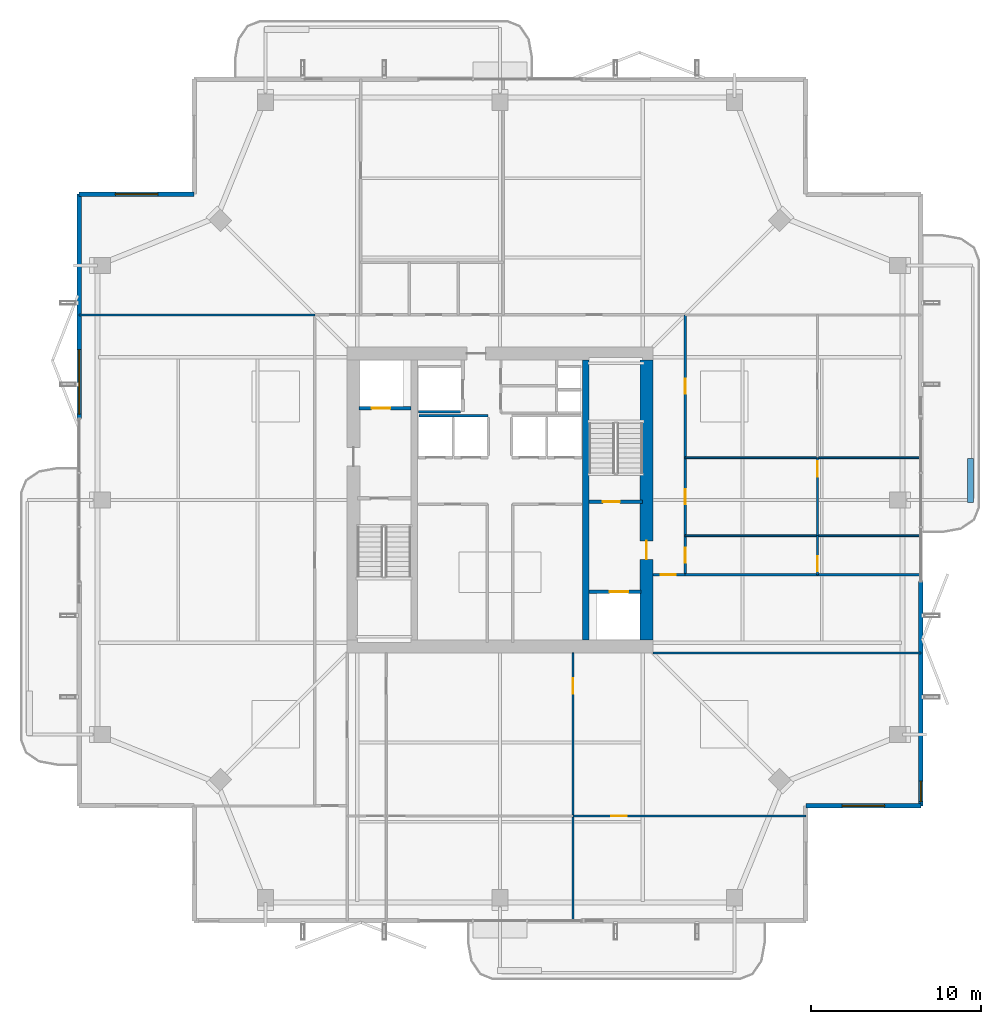
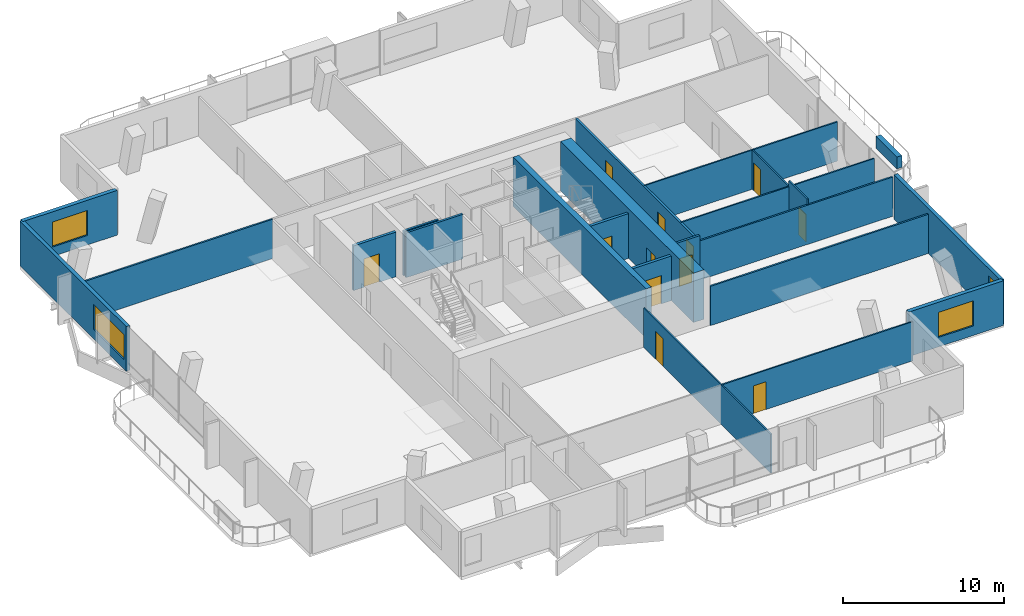
# One storey, part 19 of 25: 23 walls, 12 doors, 4 windows, 16 openings.
"""IFC4 building model written with IfcOpenShell, lengths in metres."""

from ifc_helpers import new_model, si_unit, direction, frame, frame_2d, origin, place, context, subcontext, project, spatial, rectangle, extrude, material, layer, layer_set, type_object, element, fill, save


model = new_model("IFC4")

# Units and contexts
model_context = context("Model", 3, precision=1e-05, world=origin(), true_north=direction((0.0, 1.0)))
body_context = subcontext(model_context, "Body", "Model", "MODEL_VIEW")
ifc_project = project(units=[si_unit("LENGTHUNIT", "METRE"), si_unit("AREAUNIT", "SQUARE_METRE"), si_unit("VOLUMEUNIT", "CUBIC_METRE"), si_unit("PLANEANGLEUNIT", "RADIAN"), si_unit("MASSUNIT", "GRAM", prefix="KILO")], contexts=[model_context])

# Site, building, storey
site_placement = place(None, origin())
site = spatial("IfcSite", under=ifc_project, at=site_placement, CompositionType="ELEMENT")
building_placement = place(site_placement, origin())
building = spatial("IfcBuilding", under=site, at=building_placement, Name="Belovzor Exchange Tower", CompositionType="ELEMENT")
storey_placement = place(building_placement, frame((0.0, 0.0, 280.35009765625)))
storey = spatial("IfcBuildingStorey", under=building, at=storey_placement, Name="L70", CompositionType="ELEMENT", Elevation=280.35009765625)

# Walls
ifc_material_1 = material(Name="Acoustic Plasterboard on Galvanised Studs", Category="gypsum")
ifc_layer_1 = layer(ifc_material_1, 0.1201171875)
ifc_layer_set_1 = layer_set([ifc_layer_1], Name="Acoustic Plasterboard on Galvanised Studs")
wall_type_1 = type_object("IfcWallType", Name="Acoustic Double-Stud Partition Wall 120", PredefinedType="PARTITIONING", material=ifc_layer_set_1)
wall_1_placement = place(storey_placement, frame((37.800048828125, 19.800048828125, 0.0), z_axis=(0.0, 0.0, 1.0), x_axis=(1.0, 0.0, 0.0)))
element("IfcWall", 1, at=wall_1_placement, inside=storey, type_object=wall_type_1, Name="W-P120 Partition Wall W-L70-ESS", PredefinedType="PARTITIONING", context=body_context, shape_type="SweptSolid", body=[
    extrude(rectangle(XDim=15.77001953125, YDim=0.1201171875, at=frame_2d((7.885009765625, 0.0))), origin(), (0.0, 0.0, 1.0), 2.974853515625),
])
wall_2_placement = place(storey_placement, frame((39.699951171875, 24.39990234375, 0.0), z_axis=(0.0, 0.0, 1.0), x_axis=(1.0, 0.0, 0.0)))
element("IfcWall", 2, at=wall_2_placement, inside=storey, type_object=wall_type_1, Name="W-P120 Partition Wall W-L70-ESN", PredefinedType="PARTITIONING", context=body_context, shape_type="SweptSolid", body=[
    extrude(rectangle(XDim=13.8701171875, YDim=0.1201171875, at=frame_2d((6.93505859375, 0.0))), origin(), (0.0, 0.0, 1.0), 2.974853515625),
])
wall_3_placement = place(storey_placement, frame((4.030029296875, 39.699951171875, 0.0), z_axis=(0.0, 0.0, 1.0), x_axis=(1.0, 0.0, 0.0)))
element("IfcWall", 3, at=wall_3_placement, inside=storey, type_object=wall_type_1, Name="W-P120 Partition Wall W-L70-END-NW", PredefinedType="PARTITIONING", context=body_context, shape_type="SweptSolid", body=[
    extrude(rectangle(XDim=13.869873046875, YDim=0.1201171875, at=frame_2d((6.93505859375, 0.0))), origin(), (0.0, 0.0, 1.0), 2.974853515625),
])

# Wall, opening, door
ifc_material_2 = material(Name="Acoustic Laminated Glass and Aluminium", Category="aluminium")
ifc_layer_2 = layer(ifc_material_2, 0.10009765625)
ifc_layer_set_2 = layer_set([ifc_layer_2], Name="Acoustic Laminated Glass and Aluminium")
wall_type_2 = type_object("IfcWallType", Name="Demountable Executive Glass Partition 100", PredefinedType="MOVABLE", material=ifc_layer_set_2)
wall_4_placement = place(storey_placement, frame((33.092041015625, 4.030029296875, 0.0), z_axis=(0.0, 0.0, 1.0), x_axis=(0.0, 1.0, 0.0)))
wall_4 = element("IfcWall", 4, at=wall_4_placement, inside=storey, type_object=wall_type_2, Name="W-M100 Partition Wall W-L70-SDIV-2", PredefinedType="MOVABLE", context=body_context, shape_type="SweptSolid", body=[
    extrude(rectangle(XDim=15.77001953125, YDim=0.10009765625, at=frame_2d((7.885009765625, 0.0))), origin(), (0.0, 0.0, 1.0), 2.974853515625),
])
opening_1_placement = place(wall_4_placement, frame((13.3701171875, 0.0, 0.0)))
opening_1 = element("IfcOpeningElement", 5, at=opening_1_placement, cuts=wall_4, Name="Opening D-INT-090", PredefinedType="OPENING", context=body_context, shape_type="SweptSolid", body=[
    extrude(rectangle(XDim=0.89990234375, YDim=2.10009765625, at=frame_2d((0.449951171875, 1.050048828125))), frame((0.0, 0.06005859375, 0.0), z_axis=(0.0, -1.0, 0.0), x_axis=(1.0, 0.0, 0.0)), (0.0, 0.0, 1.0), 0.1201171875),
])
ifc_material_3 = material(Name="Veneered Hardwood Acoustic Leaf", Category="wood")
door_type_1 = type_object("IfcDoorType", Name="Trading Suite Acoustic Single Door 900x2100", OperationType="NOTDEFINED", PredefinedType="DOOR", material=ifc_material_3)
door_1_placement = place(opening_1_placement, origin())
door_1 = element("IfcDoor", 6, at=door_1_placement, inside=storey, type_object=door_type_1, Name="D-INT-090 Trading Suite Acoustic Single Door 900x2100", OperationType="SINGLE_SWING_LEFT", OverallHeight=2.10009765625, OverallWidth=0.89990234375, PredefinedType="DOOR", context=body_context, shape_type="SweptSolid", body=[
    extrude(rectangle(XDim=0.89990234375, YDim=2.10009765625, at=frame_2d((0.449951171875, 1.050048828125))), frame((0.0, 0.02490234375, 0.0), z_axis=(0.0, -1.0, 0.0), x_axis=(1.0, 0.0, 0.0)), (0.0, 0.0, 1.0), 0.050048828125),
])
fill(opening_1, door_1)

wall_5_placement = place(storey_placement, frame((33.092041015625, 10.200927734375, 0.0), z_axis=(0.0, 0.0, 1.0), x_axis=(1.0, 0.0, 0.0)))
wall_5 = element("IfcWall", 7, at=wall_5_placement, inside=storey, type_object=wall_type_2, Name="W-M100 Partition Wall W-L70-SHDIV-2", PredefinedType="MOVABLE", context=body_context, shape_type="SweptSolid", body=[
    extrude(rectangle(XDim=13.7080078125, YDim=0.10009765625, at=frame_2d((6.85400390625, 0.0))), origin(), (0.0, 0.0, 1.0), 2.974853515625),
])
opening_2_placement = place(wall_5_placement, frame((2.26806640625, 0.0, 0.0)))
opening_2 = element("IfcOpeningElement", 8, at=opening_2_placement, cuts=wall_5, Name="Opening D-INT-090", PredefinedType="OPENING", context=body_context, shape_type="SweptSolid", body=[
    extrude(rectangle(XDim=0.89990234375, YDim=2.10009765625, at=frame_2d((0.449951171875, 1.050048828125))), frame((0.0, 0.06005859375, 0.0), z_axis=(0.0, -1.0, 0.0), x_axis=(1.0, 0.0, 0.0)), (0.0, 0.0, 1.0), 0.1201171875),
])
door_2_placement = place(opening_2_placement, origin())
door_2 = element("IfcDoor", 9, at=door_2_placement, inside=storey, type_object=door_type_1, Name="D-INT-090 Trading Suite Acoustic Single Door 900x2100", OperationType="SINGLE_SWING_LEFT", OverallHeight=2.10009765625, OverallWidth=0.89990234375, PredefinedType="DOOR", context=body_context, shape_type="SweptSolid", body=[
    extrude(rectangle(XDim=0.89990234375, YDim=2.10009765625, at=frame_2d((0.449951171875, 1.050048828125))), frame((0.0, 0.02490234375, 0.0), z_axis=(0.0, -1.0, 0.0), x_axis=(1.0, 0.0, 0.0)), (0.0, 0.0, 1.0), 0.050048828125),
])
fill(opening_2, door_2)

wall_6_placement = place(storey_placement, frame((47.485107421875, 24.39990234375, 0.0), z_axis=(0.0, 0.0, 1.0), x_axis=(0.0, 1.0, 0.0)))
wall_6 = element("IfcWall", 10, at=wall_6_placement, inside=storey, type_object=wall_type_2, Name="W-M100 Partition Wall W-L70-EHDIV-0", PredefinedType="MOVABLE", context=body_context, shape_type="SweptSolid", body=[
    extrude(rectangle(XDim=2.300048828125, YDim=0.10009765625, at=frame_2d((1.14990234375, 0.0))), origin(), (0.0, 0.0, 1.0), 3.389892578125),
])
opening_3_placement = place(wall_6_placement, frame((0.199951171875, 0.0, 0.0)))
opening_3 = element("IfcOpeningElement", 11, at=opening_3_placement, cuts=wall_6, Name="Opening D-INT-090", PredefinedType="OPENING", context=body_context, shape_type="SweptSolid", body=[
    extrude(rectangle(XDim=0.89990234375, YDim=2.10009765625, at=frame_2d((0.449951171875, 1.050048828125))), frame((0.0, 0.06005859375, 0.0), z_axis=(0.0, -1.0, 0.0), x_axis=(1.0, 0.0, 0.0)), (0.0, 0.0, 1.0), 0.1201171875),
])
door_3_placement = place(opening_3_placement, origin())
door_3 = element("IfcDoor", 12, at=door_3_placement, inside=storey, type_object=door_type_1, Name="D-INT-090 Trading Suite Acoustic Single Door 900x2100", OperationType="SINGLE_SWING_RIGHT", OverallHeight=2.10009765625, OverallWidth=0.89990234375, PredefinedType="DOOR", context=body_context, shape_type="SweptSolid", body=[
    extrude(rectangle(XDim=0.89990234375, YDim=2.10009765625, at=frame_2d((0.449951171875, 1.050048828125))), frame((0.0, 0.02490234375, 0.0), z_axis=(0.0, -1.0, 0.0), x_axis=(1.0, 0.0, 0.0)), (0.0, 0.0, 1.0), 0.050048828125),
])
fill(opening_3, door_3)

# Wall
wall_7_placement = place(storey_placement, frame((39.699951171875, 26.699951171875, 0.0), z_axis=(0.0, 0.0, 1.0), x_axis=(1.0, 0.0, 0.0)))
element("IfcWall", 13, at=wall_7_placement, inside=storey, type_object=wall_type_2, Name="W-M100 Partition Wall W-L70-EDIV-1", PredefinedType="MOVABLE", context=body_context, shape_type="SweptSolid", body=[
    extrude(rectangle(XDim=13.8701171875, YDim=0.10009765625, at=frame_2d((6.93505859375, 0.0))), origin(), (0.0, 0.0, 1.0), 2.974853515625),
])

# Wall, opening, door
wall_8_placement = place(storey_placement, frame((47.485107421875, 26.699951171875, 0.0), z_axis=(0.0, 0.0, 1.0), x_axis=(0.0, 1.0, 0.0)))
wall_8 = element("IfcWall", 14, at=wall_8_placement, inside=storey, type_object=wall_type_2, Name="W-M100 Partition Wall W-L70-EHDIV-1", PredefinedType="MOVABLE", context=body_context, shape_type="SweptSolid", body=[
    extrude(rectangle(XDim=4.58203125, YDim=0.10009765625, at=frame_2d((2.291015625, 0.0))), origin(), (0.0, 0.0, 1.0), 2.974853515625),
])
opening_4_placement = place(wall_8_placement, frame((3.48193359375, 0.0, 0.0)))
opening_4 = element("IfcOpeningElement", 15, at=opening_4_placement, cuts=wall_8, Name="Opening D-INT-090", PredefinedType="OPENING", context=body_context, shape_type="SweptSolid", body=[
    extrude(rectangle(XDim=0.89990234375, YDim=2.10009765625, at=frame_2d((0.449951171875, 1.050048828125))), frame((0.0, 0.06005859375, 0.0), z_axis=(0.0, -1.0, 0.0), x_axis=(1.0, 0.0, 0.0)), (0.0, 0.0, 1.0), 0.1201171875),
])
door_4_placement = place(opening_4_placement, origin())
door_4 = element("IfcDoor", 16, at=door_4_placement, inside=storey, type_object=door_type_1, Name="D-INT-090 Trading Suite Acoustic Single Door 900x2100", OperationType="SINGLE_SWING_RIGHT", OverallHeight=2.10009765625, OverallWidth=0.89990234375, PredefinedType="DOOR", context=body_context, shape_type="SweptSolid", body=[
    extrude(rectangle(XDim=0.89990234375, YDim=2.10009765625, at=frame_2d((0.449951171875, 1.050048828125))), frame((0.0, 0.02490234375, 0.0), z_axis=(0.0, -1.0, 0.0), x_axis=(1.0, 0.0, 0.0)), (0.0, 0.0, 1.0), 0.050048828125),
])
fill(opening_4, door_4)

# Wall
wall_9_placement = place(storey_placement, frame((39.699951171875, 31.281982421875, 0.0), z_axis=(0.0, 0.0, 1.0), x_axis=(1.0, 0.0, 0.0)))
element("IfcWall", 17, at=wall_9_placement, inside=storey, type_object=wall_type_2, Name="W-M100 Partition Wall W-L70-EDIV-2", PredefinedType="MOVABLE", context=body_context, shape_type="SweptSolid", body=[
    extrude(rectangle(XDim=13.8701171875, YDim=0.10009765625, at=frame_2d((6.93505859375, 0.0))), origin(), (0.0, 0.0, 1.0), 2.974853515625),
])

# Wall, opening, door
ifc_material_4 = material(Name="Fire-Rated Gypsum Block and Mineral Wool", Category="gypsum")
ifc_layer_3 = layer(ifc_material_4, 0.14990234375)
ifc_layer_set_3 = layer_set([ifc_layer_3], Name="Fire-Rated Gypsum Block and Mineral Wool")
wall_type_3 = type_object("IfcWallType", Name="Fire-Rated Gypsum Block Corridor Wall 150", PredefinedType="PARTITIONING", material=ifc_layer_set_3)
wall_10_placement = place(storey_placement, frame((37.800048828125, 24.39990234375, 0.0), z_axis=(0.0, 0.0, 1.0), x_axis=(1.0, 0.0, 0.0)))
wall_10 = element("IfcWall", 18, at=wall_10_placement, inside=storey, type_object=wall_type_3, Name="W-P150 Partition Wall W-L70-CE-END", PredefinedType="PARTITIONING", context=body_context, shape_type="SweptSolid", body=[
    extrude(rectangle(XDim=1.89990234375, YDim=0.14990234375, at=frame_2d((0.949951171875, 0.0))), origin(), (0.0, 0.0, 1.0), 3.389892578125),
])
opening_5_placement = place(wall_10_placement, frame((0.449951171875, 0.0, 0.0)))
opening_5 = element("IfcOpeningElement", 19, at=opening_5_placement, cuts=wall_10, Name="Opening D-FD60-090", PredefinedType="OPENING", context=body_context, shape_type="SweptSolid", body=[
    extrude(rectangle(XDim=0.89990234375, YDim=2.10009765625, at=frame_2d((0.449951171875, 1.050048828125))), frame((0.0, 0.0849609375, 0.0), z_axis=(0.0, -1.0, 0.0), x_axis=(1.0, 0.0, 0.0)), (0.0, 0.0, 1.0), 0.169921875),
])
ifc_material_5 = material(Name="Acoustic Timber Fire Leaf", Category="wood")
door_type_2 = type_object("IfcDoorType", Name="Core Service & Restroom Fire Door 900x2100", OperationType="NOTDEFINED", PredefinedType="DOOR", material=ifc_material_5)
door_5_placement = place(opening_5_placement, origin())
door_5 = element("IfcDoor", 20, at=door_5_placement, inside=storey, type_object=door_type_2, Name="D-FD60-090 Core Service & Restroom Fire Door 900x2100", OperationType="SINGLE_SWING_LEFT", OverallHeight=2.10009765625, OverallWidth=0.89990234375, PredefinedType="DOOR", context=body_context, shape_type="SweptSolid", body=[
    extrude(rectangle(XDim=0.89990234375, YDim=2.10009765625, at=frame_2d((0.449951171875, 1.050048828125))), frame((0.0, 0.02490234375, 0.0), z_axis=(0.0, -1.0, 0.0), x_axis=(1.0, 0.0, 0.0)), (0.0, 0.0, 1.0), 0.050048828125),
])
fill(opening_5, door_5)

# Wall, openings, doors
wall_11_placement = place(storey_placement, frame((39.699951171875, 24.39990234375, 0.0), z_axis=(0.0, 0.0, 1.0), x_axis=(0.0, 1.0, 0.0)))
wall_11 = element("IfcWall", 21, at=wall_11_placement, inside=storey, type_object=wall_type_3, Name="W-P150 Partition Wall W-L70-CE", PredefinedType="PARTITIONING", context=body_context, shape_type="SweptSolid", body=[
    extrude(rectangle(XDim=15.300048828125, YDim=0.14990234375, at=frame_2d((7.64990234375, 0.0))), origin(), (0.0, 0.0, 1.0), 2.974853515625),
])
opening_6_placement = place(wall_11_placement, frame((0.699951171875, 0.0, 0.0)))
opening_6 = element("IfcOpeningElement", 22, at=opening_6_placement, cuts=wall_11, Name="Opening D-INT-090", PredefinedType="OPENING", context=body_context, shape_type="SweptSolid", body=[
    extrude(rectangle(XDim=0.89990234375, YDim=2.10009765625, at=frame_2d((0.449951171875, 1.050048828125))), frame((0.0, 0.0849609375, 0.0), z_axis=(0.0, -1.0, 0.0), x_axis=(1.0, 0.0, 0.0)), (0.0, 0.0, 1.0), 0.169921875),
])
opening_7_placement = place(wall_11_placement, frame((4.14111328125, 0.0, 0.0)))
opening_7 = element("IfcOpeningElement", 23, at=opening_7_placement, cuts=wall_11, Name="Opening D-INT-090", PredefinedType="OPENING", context=body_context, shape_type="SweptSolid", body=[
    extrude(rectangle(XDim=0.89990234375, YDim=2.10009765625, at=frame_2d((0.449951171875, 1.050048828125))), frame((0.0, 0.0849609375, 0.0), z_axis=(0.0, -1.0, 0.0), x_axis=(1.0, 0.0, 0.0)), (0.0, 0.0, 1.0), 0.169921875),
])
opening_8_placement = place(wall_11_placement, frame((10.64111328125, 0.0, 0.0)))
opening_8 = element("IfcOpeningElement", 24, at=opening_8_placement, cuts=wall_11, Name="Opening D-INT-090", PredefinedType="OPENING", context=body_context, shape_type="SweptSolid", body=[
    extrude(rectangle(XDim=0.89990234375, YDim=2.10009765625, at=frame_2d((0.449951171875, 1.050048828125))), frame((0.0, 0.0849609375, 0.0), z_axis=(0.0, -1.0, 0.0), x_axis=(1.0, 0.0, 0.0)), (0.0, 0.0, 1.0), 0.169921875),
])
door_6_placement = place(opening_6_placement, origin())
door_6 = element("IfcDoor", 25, at=door_6_placement, inside=storey, type_object=door_type_1, Name="D-INT-090 Trading Suite Acoustic Single Door 900x2100", OperationType="SINGLE_SWING_RIGHT", OverallHeight=2.10009765625, OverallWidth=0.89990234375, PredefinedType="DOOR", context=body_context, shape_type="SweptSolid", body=[
    extrude(rectangle(XDim=0.89990234375, YDim=2.10009765625, at=frame_2d((0.449951171875, 1.050048828125))), frame((0.0, 0.02490234375, 0.0), z_axis=(0.0, -1.0, 0.0), x_axis=(1.0, 0.0, 0.0)), (0.0, 0.0, 1.0), 0.050048828125),
])
fill(opening_6, door_6)
door_7_placement = place(opening_7_placement, origin())
door_7 = element("IfcDoor", 26, at=door_7_placement, inside=storey, type_object=door_type_1, Name="D-INT-090 Trading Suite Acoustic Single Door 900x2100", OperationType="SINGLE_SWING_LEFT", OverallHeight=2.10009765625, OverallWidth=0.89990234375, PredefinedType="DOOR", context=body_context, shape_type="SweptSolid", body=[
    extrude(rectangle(XDim=0.89990234375, YDim=2.10009765625, at=frame_2d((0.449951171875, 1.050048828125))), frame((0.0, 0.02490234375, 0.0), z_axis=(0.0, -1.0, 0.0), x_axis=(1.0, 0.0, 0.0)), (0.0, 0.0, 1.0), 0.050048828125),
])
fill(opening_7, door_7)
door_8_placement = place(opening_8_placement, origin())
door_8 = element("IfcDoor", 27, at=door_8_placement, inside=storey, type_object=door_type_1, Name="D-INT-090 Trading Suite Acoustic Single Door 900x2100", OperationType="SINGLE_SWING_RIGHT", OverallHeight=2.10009765625, OverallWidth=0.89990234375, PredefinedType="DOOR", context=body_context, shape_type="SweptSolid", body=[
    extrude(rectangle(XDim=0.89990234375, YDim=2.10009765625, at=frame_2d((0.449951171875, 1.050048828125))), frame((0.0, 0.02490234375, 0.0), z_axis=(0.0, -1.0, 0.0), x_axis=(1.0, 0.0, 0.0)), (0.0, 0.0, 1.0), 0.050048828125),
])
fill(opening_8, door_8)

# Wall, opening, window
ifc_material_6 = material(Name="Precast concrete C40/50", Category="concrete")
ifc_layer_4 = layer(ifc_material_6, 0.280029296875)
ifc_layer_set_4 = layer_set([ifc_layer_4], Name="Precast concrete C40/50")
wall_type_4 = type_object("IfcWallType", Name="Precast Concrete Notched Corner Frame Wall 280", PredefinedType="SOLIDWALL", material=ifc_layer_set_4)
wall_12_placement = place(storey_placement, frame((4.030029296875, 46.800048828125, 0.0), z_axis=(0.0, 0.0, 1.0), x_axis=(1.0, 0.0, 0.0)))
wall_12 = element("IfcWall", 28, at=wall_12_placement, inside=storey, type_object=wall_type_4, Name="W-CRN280 Precast Concrete Notched Corner Frame Wall 280 L70", PredefinedType="SOLIDWALL", context=body_context, shape_type="SweptSolid", body=[
    extrude(rectangle(XDim=6.77001953125, YDim=0.280029296875, at=frame_2d((3.385009765625, 0.0))), origin(), (0.0, 0.0, 1.0), 3.389892578125),
])
opening_9_placement = place(wall_12_placement, frame((2.135009765625, 0.0, 0.719970703125)))
opening_9 = element("IfcOpeningElement", 29, at=opening_9_placement, cuts=wall_12, Name="Opening WN-CRN250", PredefinedType="OPENING", context=body_context, shape_type="SweptSolid", body=[
    extrude(rectangle(XDim=2.5, YDim=1.89990234375, at=frame_2d((1.25, 0.949951171875))), frame((0.0, 0.14990234375, 0.0), z_axis=(0.0, -1.0, 0.0), x_axis=(1.0, 0.0, 0.0)), (0.0, 0.0, 1.0), 0.300048828125),
])
ifc_material_7 = material(Name="Thermally Broken Aluminium and Triple Glazing", Category="aluminium")
window_type_1 = type_object("IfcWindowType", Name="Streamline Moderne Corner Wrap Ribbon Window 2500x1900", PartitioningType="SINGLE_PANEL", PredefinedType="WINDOW", material=ifc_material_7)
window_1_placement = place(opening_9_placement, origin())
window_1 = element("IfcWindow", 30, at=window_1_placement, inside=storey, type_object=window_type_1, Name="WN-CRN250 Streamline Moderne Corner Wrap Ribbon Window 2500x1900", OverallHeight=1.89990234375, OverallWidth=2.5, PartitioningType="SINGLE_PANEL", PredefinedType="WINDOW", context=body_context, shape_type="SweptSolid", body=[
    extrude(rectangle(XDim=2.5, YDim=1.89990234375, at=frame_2d((1.25, 0.949951171875))), frame((0.0, 0.030029296875, 0.0), z_axis=(0.0, -1.0, 0.0), x_axis=(1.0, 0.0, 0.0)), (0.0, 0.0, 1.0), 0.06005859375),
])
fill(opening_9, window_1)

wall_13_placement = place(storey_placement, frame((53.570068359375, 10.800048828125, 0.0), z_axis=(0.0, 0.0, 1.0), x_axis=(-1.0, 0.0, 0.0)))
wall_13 = element("IfcWall", 31, at=wall_13_placement, inside=storey, type_object=wall_type_4, Name="W-CRN280 Precast Concrete Notched Corner Frame Wall 280 L70", PredefinedType="SOLIDWALL", context=body_context, shape_type="SweptSolid", body=[
    extrude(rectangle(XDim=6.77001953125, YDim=0.280029296875, at=frame_2d((3.385009765625, 0.0))), origin(), (0.0, 0.0, 1.0), 3.389892578125),
])
opening_10_placement = place(wall_13_placement, frame((2.135009765625, 0.0, 0.719970703125)))
opening_10 = element("IfcOpeningElement", 32, at=opening_10_placement, cuts=wall_13, Name="Opening WN-CRN250", PredefinedType="OPENING", context=body_context, shape_type="SweptSolid", body=[
    extrude(rectangle(XDim=2.5, YDim=1.89990234375, at=frame_2d((1.25, 0.949951171875))), frame((0.0, 0.14990234375, 0.0), z_axis=(0.0, -1.0, 0.0), x_axis=(1.0, 0.0, 0.0)), (0.0, 0.0, 1.0), 0.300048828125),
])
window_2_placement = place(opening_10_placement, origin())
window_2 = element("IfcWindow", 33, at=window_2_placement, inside=storey, type_object=window_type_1, Name="WN-CRN250 Streamline Moderne Corner Wrap Ribbon Window 2500x1900", OverallHeight=1.89990234375, OverallWidth=2.5, PartitioningType="SINGLE_PANEL", PredefinedType="WINDOW", context=body_context, shape_type="SweptSolid", body=[
    extrude(rectangle(XDim=2.5, YDim=1.89990234375, at=frame_2d((1.25, 0.949951171875))), frame((0.0, 0.030029296875, 0.0), z_axis=(0.0, -1.0, 0.0), x_axis=(1.0, 0.0, 0.0)), (0.0, 0.0, 1.0), 0.06005859375),
])
fill(opening_10, window_2)

ifc_material_8 = material(Name="Precast concrete C40/50", Category="concrete")
ifc_layer_5 = layer(ifc_material_8, 0.260009765625)
ifc_layer_set_5 = layer_set([ifc_layer_5], Name="Precast concrete C40/50")
wall_type_5 = type_object("IfcWallType", Name="Precast Concrete Perimeter Loggia Frame Wall 260", PredefinedType="SOLIDWALL", material=ifc_layer_set_5)
wall_14_placement = place(storey_placement, frame((4.030029296875, 33.60009765625, 0.0), z_axis=(0.0, 0.0, 1.0), x_axis=(0.0, 1.0, 0.0)))
wall_14 = element("IfcWall", 34, at=wall_14_placement, inside=storey, type_object=wall_type_5, Name="W-EXT260 Precast Concrete Perimeter Loggia Frame Wall 260 L70", PredefinedType="SOLIDWALL", context=body_context, shape_type="SweptSolid", body=[
    extrude(rectangle(XDim=13.199951171875, YDim=0.260009765625, at=frame_2d((6.60009765625, 0.0))), origin(), (0.0, 0.0, 1.0), 3.389892578125),
])
opening_11_placement = place(wall_14_placement, frame((0.25, 0.0, 0.719970703125)))
opening_11 = element("IfcOpeningElement", 35, at=opening_11_placement, cuts=wall_14, Name="Opening WN-RIB380", PredefinedType="OPENING", context=body_context, shape_type="SweptSolid", body=[
    extrude(rectangle(XDim=3.800048828125, YDim=1.89990234375, at=frame_2d((1.89990234375, 0.949951171875))), frame((0.0, 0.139892578125, 0.0), z_axis=(0.0, -1.0, 0.0), x_axis=(1.0, 0.0, 0.0)), (0.0, 0.0, 1.0), 0.280029296875),
])
ifc_material_9 = material(Name="Thermally Broken Aluminium and Triple Glazing", Category="aluminium")
window_type_2 = type_object("IfcWindowType", Name="Streamline Moderne Horizontal Ribbon Window 3800x1900", PartitioningType="SINGLE_PANEL", PredefinedType="WINDOW", material=ifc_material_9)
window_3_placement = place(opening_11_placement, origin())
window_3 = element("IfcWindow", 36, at=window_3_placement, inside=storey, type_object=window_type_2, Name="WN-RIB380 Streamline Moderne Horizontal Ribbon Window 3800x1900", OverallHeight=1.89990234375, OverallWidth=3.800048828125, PartitioningType="SINGLE_PANEL", PredefinedType="WINDOW", context=body_context, shape_type="SweptSolid", body=[
    extrude(rectangle(XDim=3.800048828125, YDim=1.89990234375, at=frame_2d((1.89990234375, 0.949951171875))), frame((0.0, 0.030029296875, 0.0), z_axis=(0.0, -1.0, 0.0), x_axis=(1.0, 0.0, 0.0)), (0.0, 0.0, 1.0), 0.06005859375),
])
fill(opening_11, window_3)

wall_15_placement = place(storey_placement, frame((53.570068359375, 24.0, 0.0), z_axis=(0.0, 0.0, 1.0), x_axis=(0.0, -1.0, 0.0)))
wall_15 = element("IfcWall", 37, at=wall_15_placement, inside=storey, type_object=wall_type_5, Name="W-EXT260 Precast Concrete Perimeter Loggia Frame Wall 260 L70", PredefinedType="SOLIDWALL", context=body_context, shape_type="SweptSolid", body=[
    extrude(rectangle(XDim=13.199951171875, YDim=0.260009765625, at=frame_2d((6.60009765625, 0.0))), origin(), (0.0, 0.0, 1.0), 3.389892578125),
])
opening_12_placement = place(wall_15_placement, frame((11.75, 0.0, 0.719970703125)))
opening_12 = element("IfcOpeningElement", 38, at=opening_12_placement, cuts=wall_15, Name="Opening WN-CRN120", PredefinedType="OPENING", context=body_context, shape_type="SweptSolid", body=[
    extrude(rectangle(XDim=1.199951171875, YDim=2.10009765625, at=frame_2d((0.60009765625, 1.050048828125))), frame((0.0, 0.139892578125, 0.0), z_axis=(0.0, -1.0, 0.0), x_axis=(1.0, 0.0, 0.0)), (0.0, 0.0, 1.0), 0.280029296875),
])
ifc_material_10 = material(Name="Thermally Broken Aluminium and Triple Glazing", Category="aluminium")
window_type_3 = type_object("IfcWindowType", Name="Streamline Notched Corner Window 1200x2100", PartitioningType="SINGLE_PANEL", PredefinedType="WINDOW", material=ifc_material_10)
window_4_placement = place(opening_12_placement, origin())
window_4 = element("IfcWindow", 39, at=window_4_placement, inside=storey, type_object=window_type_3, Name="WN-CRN120 Streamline Notched Corner Window 1200x2100", OverallHeight=2.10009765625, OverallWidth=1.199951171875, PartitioningType="SINGLE_PANEL", PredefinedType="WINDOW", context=body_context, shape_type="SweptSolid", body=[
    extrude(rectangle(XDim=1.199951171875, YDim=2.10009765625, at=frame_2d((0.60009765625, 1.050048828125))), frame((0.0, 0.030029296875, 0.0), z_axis=(0.0, -1.0, 0.0), x_axis=(1.0, 0.0, 0.0)), (0.0, 0.0, 1.0), 0.06005859375),
])
fill(opening_12, window_4)

# Walls
ifc_material_11 = material(Name="Precast concrete C40/50", Category="concrete")
ifc_layer_6 = layer(ifc_material_11, 0.35009765625)
ifc_layer_set_6 = layer_set([ifc_layer_6], Name="Precast concrete C40/50")
wall_type_6 = type_object("IfcWallType", Name="Precast Concrete Structural Tree Planter Trough 350", PredefinedType="PARAPET", material=ifc_layer_set_6)
wall_16_placement = place(storey_placement, frame((56.5, 28.64990234375, 0.0), z_axis=(0.0, 0.0, 1.0), x_axis=(0.0, 1.0, 0.0)))
element("IfcWall", 40, at=wall_16_placement, inside=storey, type_object=wall_type_6, Name="PT-350 Precast Concrete Structural Tree Planter Trough 350 L70", PredefinedType="PARAPET", context=body_context, shape_type="SweptSolid", body=[
    extrude(rectangle(XDim=2.60009765625, YDim=0.35009765625, at=frame_2d((1.300048828125, 0.0))), origin(), (0.0, 0.0, 1.0), 0.89990234375),
])
ifc_material_12 = material(Name="Concrete C50/60", Category="concrete")
ifc_layer_7 = layer(ifc_material_12, 0.39990234375)
ifc_layer_set_7 = layer_set([ifc_layer_7], Name="Concrete C50/60")
wall_type_7 = type_object("IfcWallType", Name="Reinforced Concrete Core Internal Web Wall 400", PredefinedType="SHEAR", material=ifc_layer_set_7)
wall_17_placement = place(storey_placement, frame((33.85009765625, 20.550048828125, 0.0), z_axis=(0.0, 0.0, 1.0), x_axis=(0.0, 1.0, 0.0)))
element("IfcWall", 41, at=wall_17_placement, inside=storey, type_object=wall_type_7, Name="CW-W040 Core Internal Web Wall L70 ER", PredefinedType="SHEAR", context=body_context, shape_type="SweptSolid", body=[
    extrude(rectangle(XDim=16.5, YDim=0.39990234375, at=frame_2d((8.25, 0.0))), origin(), (0.0, 0.0, 1.0), 3.75),
])
ifc_material_13 = material(Name="Concrete C50/60", Category="concrete")
ifc_layer_8 = layer(ifc_material_13, 0.14990234375)
ifc_layer_set_8 = layer_set([ifc_layer_8], Name="Concrete C50/60")
wall_type_8 = type_object("IfcWallType", Name="Reinforced Concrete Core Riser Shear Wall 150", PredefinedType="SHEAR", material=ifc_layer_set_8)
wall_18_placement = place(storey_placement, frame((24.0, 34.0, 0.0), z_axis=(0.0, 0.0, 1.0), x_axis=(1.0, 0.0, 0.0)))
element("IfcWall", 42, at=wall_18_placement, inside=storey, type_object=wall_type_8, Name="W-C150S Core Shaft Wall W-SH-L70-SL-01S", PredefinedType="SHEAR", context=body_context, shape_type="SweptSolid", body=[
    extrude(rectangle(XDim=2.47998046875, YDim=0.14990234375, at=frame_2d((1.239990234375, 0.0))), origin(), (0.0, 0.0, 1.0), 3.389892578125),
])
wall_19_placement = place(storey_placement, frame((24.02001953125, 33.760009765625, 0.0), z_axis=(0.0, 0.0, 1.0), x_axis=(1.0, 0.0, 0.0)))
element("IfcWall", 43, at=wall_19_placement, inside=storey, type_object=wall_type_8, Name="W-C150S Core Shaft Wall W-SHB-L70-PLH-NW", PredefinedType="SHEAR", context=body_context, shape_type="SweptSolid", body=[
    extrude(rectangle(XDim=4.080078125, YDim=0.14990234375, at=frame_2d((2.0400390625, 0.0))), origin(), (0.0, 0.0, 1.0), 3.389892578125),
])

# Wall, opening, door
ifc_material_14 = material(Name="Concrete C50/60", Category="concrete")
ifc_layer_9 = layer(ifc_material_14, 0.199951171875)
ifc_layer_set_9 = layer_set([ifc_layer_9], Name="Concrete C50/60")
wall_type_9 = type_object("IfcWallType", Name="Reinforced Concrete Core Shaft Shear Wall 200", PredefinedType="SHEAR", material=ifc_layer_set_9)
wall_20_placement = place(storey_placement, frame((34.050048828125, 28.699951171875, 0.0), z_axis=(0.0, 0.0, 1.0), x_axis=(1.0, 0.0, 0.0)))
wall_20 = element("IfcWall", 44, at=wall_20_placement, inside=storey, type_object=wall_type_9, Name="W-C200S Core Shaft Wall W-CORE-L70-FFLE2", PredefinedType="SHEAR", context=body_context, shape_type="SweptSolid", body=[
    extrude(rectangle(XDim=3.14990234375, YDim=0.199951171875, at=frame_2d((1.574951171875, 0.0))), origin(), (0.0, 0.0, 1.0), 3.389892578125),
])
opening_13_placement = place(wall_20_placement, frame((0.800048828125, 0.0, 0.0)))
opening_13 = element("IfcOpeningElement", 45, at=opening_13_placement, cuts=wall_20, Name="Opening D-FD90-100", PredefinedType="OPENING", context=body_context, shape_type="SweptSolid", body=[
    extrude(rectangle(XDim=1.0, YDim=2.10009765625, at=frame_2d((0.5, 1.050048828125))), frame((0.0, 0.10986328125, 0.0), z_axis=(0.0, -1.0, 0.0), x_axis=(1.0, 0.0, 0.0)), (0.0, 0.0, 1.0), 0.219970703125),
])
ifc_material_15 = material(Name="Fire-Rated Galvanised Steel Leaf", Category="steel")
door_type_3 = type_object("IfcDoorType", Name="Protected Stairwell Single Fire Door 1000x2100", OperationType="NOTDEFINED", PredefinedType="DOOR", material=ifc_material_15)
door_9_placement = place(opening_13_placement, origin())
door_9 = element("IfcDoor", 46, at=door_9_placement, inside=storey, type_object=door_type_3, Name="D-FD90-100 Protected Stairwell Single Fire Door 1000x2100", OperationType="SINGLE_SWING_LEFT", OverallHeight=2.10009765625, OverallWidth=1.0, PredefinedType="DOOR", context=body_context, shape_type="SweptSolid", body=[
    extrude(rectangle(XDim=1.0, YDim=2.10009765625, at=frame_2d((0.5, 1.050048828125))), frame((0.0, 0.02490234375, 0.0), z_axis=(0.0, -1.0, 0.0), x_axis=(1.0, 0.0, 0.0)), (0.0, 0.0, 1.0), 0.050048828125),
])
fill(opening_13, door_9)

wall_21_placement = place(storey_placement, frame((20.5, 34.199951171875, 0.0), z_axis=(0.0, 0.0, 1.0), x_axis=(1.0, 0.0, 0.0)))
wall_21 = element("IfcWall", 47, at=wall_21_placement, inside=storey, type_object=wall_type_9, Name="W-C200S Core Shaft Wall W-SH-L70-FFL-01", PredefinedType="SHEAR", context=body_context, shape_type="SweptSolid", body=[
    extrude(rectangle(XDim=3.050048828125, YDim=0.199951171875, at=frame_2d((1.52490234375, 0.0))), origin(), (0.0, 0.0, 1.0), 3.389892578125),
])
opening_14_placement = place(wall_21_placement, frame((0.75, 0.0, 0.0)))
opening_14 = element("IfcOpeningElement", 48, at=opening_14_placement, cuts=wall_21, Name="Opening LD-110", PredefinedType="OPENING", context=body_context, shape_type="SweptSolid", body=[
    extrude(rectangle(XDim=1.10009765625, YDim=2.14990234375, at=frame_2d((0.550048828125, 1.074951171875))), frame((0.0, 0.10986328125, 0.0), z_axis=(0.0, -1.0, 0.0), x_axis=(1.0, 0.0, 0.0)), (0.0, 0.0, 1.0), 0.219970703125),
])
ifc_material_16 = material(Name="Stainless Steel Grade 304", Category="steel")
door_type_4 = type_object("IfcDoorType", Name="Automated Stainless Steel Lift Landing Door 1100x2150", OperationType="SLIDING_TO_RIGHT", PredefinedType="DOOR", material=ifc_material_16)
door_10_placement = place(opening_14_placement, origin())
door_10 = element("IfcDoor", 49, at=door_10_placement, inside=storey, type_object=door_type_4, Name="LD-110 Automated Stainless Steel Lift Landing Door 1100x2150", OperationType="SLIDING_TO_RIGHT", OverallHeight=2.14990234375, OverallWidth=1.10009765625, PredefinedType="DOOR", context=body_context, shape_type="SweptSolid", body=[
    extrude(rectangle(XDim=1.10009765625, YDim=2.14990234375, at=frame_2d((0.550048828125, 1.074951171875))), frame((0.0, 0.02490234375, 0.0), z_axis=(0.0, -1.0, 0.0), x_axis=(1.0, 0.0, 0.0)), (0.0, 0.0, 1.0), 0.050048828125),
])
fill(opening_14, door_10)

wall_22_placement = place(storey_placement, frame((34.050048828125, 23.39990234375, 0.0), z_axis=(0.0, 0.0, 1.0), x_axis=(1.0, 0.0, 0.0)))
wall_22 = element("IfcWall", 50, at=wall_22_placement, inside=storey, type_object=wall_type_9, Name="W-C200S Core Shaft Wall W-SH-L70-FFL-02", PredefinedType="SHEAR", context=body_context, shape_type="SweptSolid", body=[
    extrude(rectangle(XDim=3.050048828125, YDim=0.199951171875, at=frame_2d((1.52490234375, 0.0))), origin(), (0.0, 0.0, 1.0), 3.389892578125),
])
opening_15_placement = place(wall_22_placement, frame((1.199951171875, 0.0, 0.0)))
opening_15 = element("IfcOpeningElement", 51, at=opening_15_placement, cuts=wall_22, Name="Opening LD-110", PredefinedType="OPENING", context=body_context, shape_type="SweptSolid", body=[
    extrude(rectangle(XDim=1.10009765625, YDim=2.14990234375, at=frame_2d((0.550048828125, 1.074951171875))), frame((0.0, 0.10986328125, 0.0), z_axis=(0.0, -1.0, 0.0), x_axis=(1.0, 0.0, 0.0)), (0.0, 0.0, 1.0), 0.219970703125),
])
door_11_placement = place(opening_15_placement, origin())
door_11 = element("IfcDoor", 52, at=door_11_placement, inside=storey, type_object=door_type_4, Name="LD-110 Automated Stainless Steel Lift Landing Door 1100x2150", OperationType="SLIDING_TO_RIGHT", OverallHeight=2.14990234375, OverallWidth=1.10009765625, PredefinedType="DOOR", context=body_context, shape_type="SweptSolid", body=[
    extrude(rectangle(XDim=1.10009765625, YDim=2.14990234375, at=frame_2d((0.550048828125, 1.074951171875))), frame((0.0, 0.02490234375, 0.0), z_axis=(0.0, -1.0, 0.0), x_axis=(1.0, 0.0, 0.0)), (0.0, 0.0, 1.0), 0.050048828125),
])
fill(opening_15, door_11)

ifc_material_17 = material(Name="Concrete C50/60", Category="concrete")
ifc_layer_10 = layer(ifc_material_17, 0.75)
ifc_layer_set_10 = layer_set([ifc_layer_10], Name="Concrete C50/60")
wall_type_10 = type_object("IfcWallType", Name="Reinforced Concrete Core Shear Wall 750", PredefinedType="SHEAR", material=ifc_layer_set_10)
wall_23_placement = place(storey_placement, frame((37.425048828125, 20.550048828125, 0.0), z_axis=(0.0, 0.0, 1.0), x_axis=(0.0, 1.0, 0.0)))
wall_23 = element("IfcWall", 53, at=wall_23_placement, inside=storey, type_object=wall_type_10, Name="CW-S075 Core Shear Wall L70 E", PredefinedType="SHEAR", context=body_context, shape_type="SweptSolid", body=[
    extrude(rectangle(XDim=16.5, YDim=0.75, at=frame_2d((8.25, 0.0))), origin(), (0.0, 0.0, 1.0), 3.75),
])
opening_16_placement = place(wall_23_placement, frame((4.75, 0.0, 0.0)))
opening_16 = element("IfcOpeningElement", 54, at=opening_16_placement, cuts=wall_23, Name="Opening D-FD90-110", PredefinedType="OPENING", context=body_context, shape_type="SweptSolid", body=[
    extrude(rectangle(XDim=1.10009765625, YDim=2.14990234375, at=frame_2d((0.550048828125, 1.074951171875))), frame((0.0, 0.385009765625, 0.0), z_axis=(0.0, -1.0, 0.0), x_axis=(1.0, 0.0, 0.0)), (0.0, 0.0, 1.0), 0.77001953125),
])
ifc_material_18 = material(Name="Fire-Rated Galvanised Steel Leaf", Category="steel")
door_type_5 = type_object("IfcDoorType", Name="Protected Escape Vestibule Fire Door 1100x2150", OperationType="NOTDEFINED", PredefinedType="DOOR", material=ifc_material_18)
door_12_placement = place(opening_16_placement, origin())
door_12 = element("IfcDoor", 55, at=door_12_placement, inside=storey, type_object=door_type_5, Name="D-FD90-110 Protected Escape Vestibule Fire Door 1100x2150", OperationType="SINGLE_SWING_RIGHT", OverallHeight=2.14990234375, OverallWidth=1.10009765625, PredefinedType="DOOR", context=body_context, shape_type="SweptSolid", body=[
    extrude(rectangle(XDim=1.10009765625, YDim=2.14990234375, at=frame_2d((0.550048828125, 1.074951171875))), frame((0.0, 0.02490234375, 0.0), z_axis=(0.0, -1.0, 0.0), x_axis=(1.0, 0.0, 0.0)), (0.0, 0.0, 1.0), 0.050048828125),
])
fill(opening_16, door_12)

save(model, "model.ifc")
